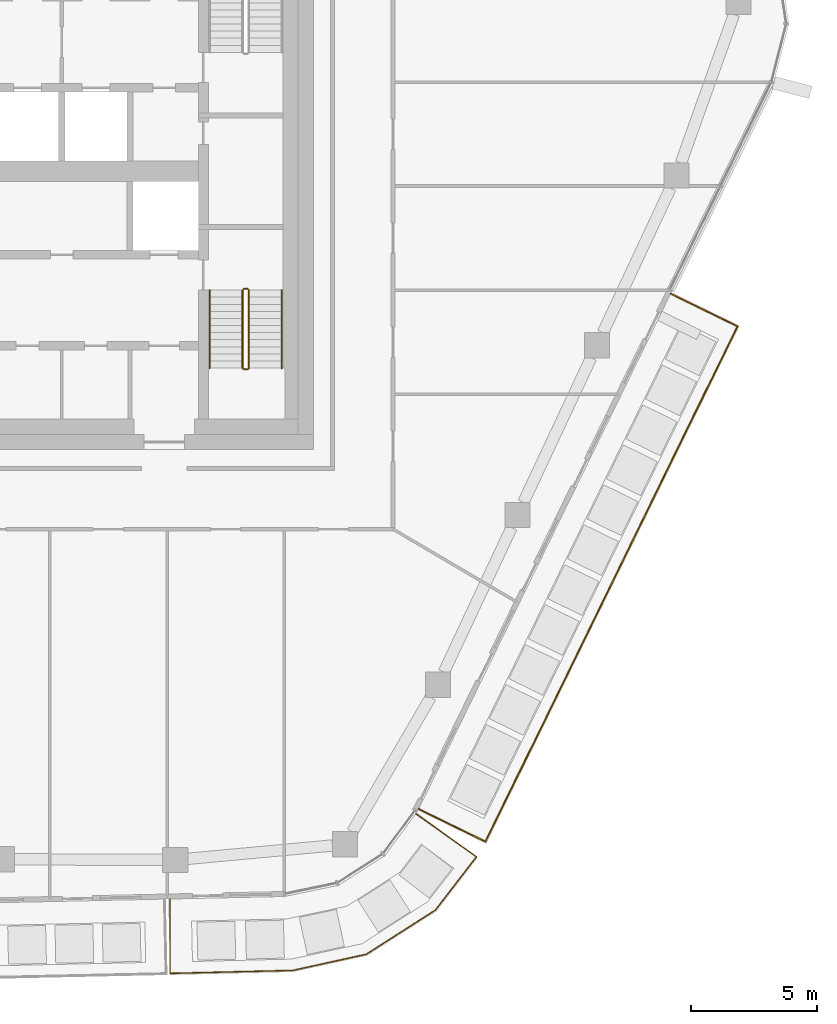
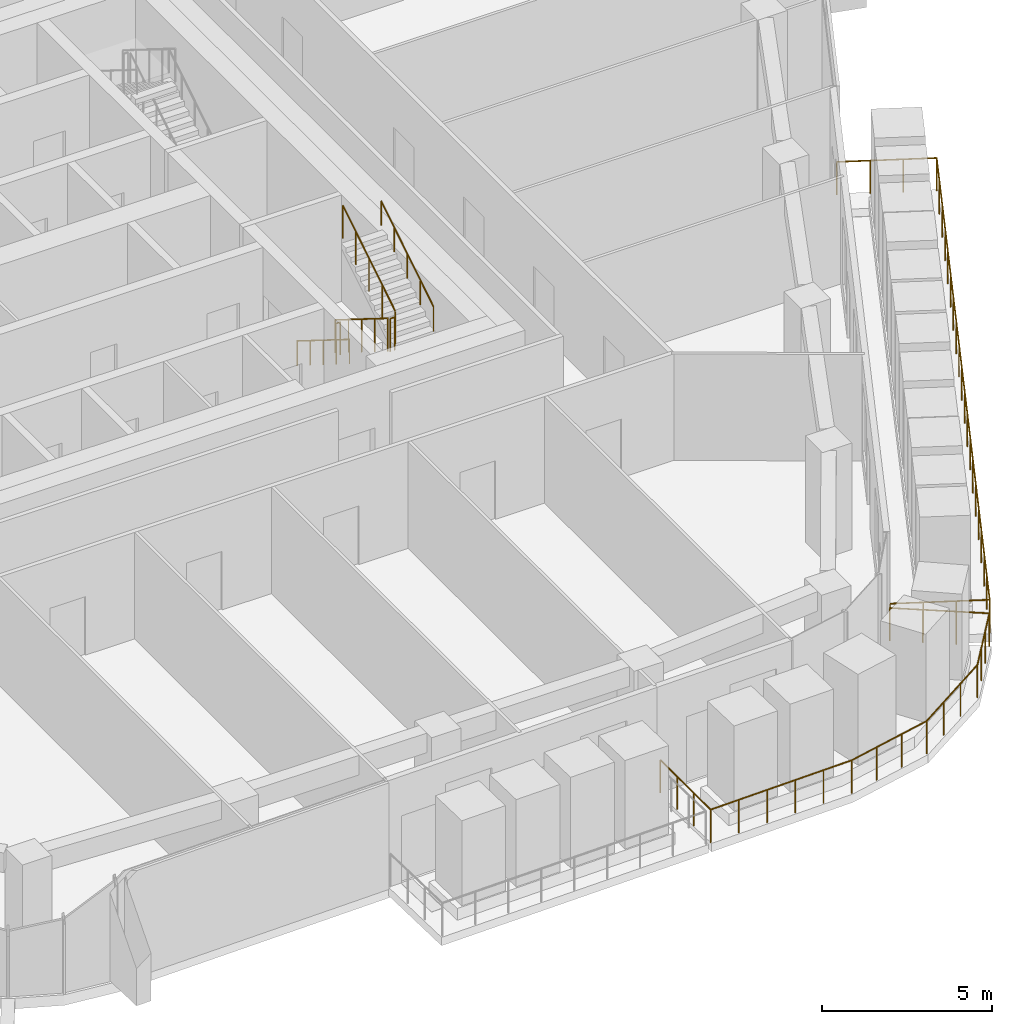
# One storey, part 20 of 23: 8 railings.
"""IFC4 building model written with IfcOpenShell, lengths in metres."""

from ifc_helpers import new_model, si_unit, direction, frame, origin, origin_2d, place, context, subcontext, project, spatial, circle, extrude, material, type_object, element, save


model = new_model("IFC4")

# Units and contexts
model_context = context("Model", 3, precision=1e-05, world=origin(), true_north=direction((0.0, 1.0)))
body_context = subcontext(model_context, "Body", "Model", "MODEL_VIEW")
ifc_project = project(units=[si_unit("LENGTHUNIT", "METRE"), si_unit("AREAUNIT", "SQUARE_METRE"), si_unit("VOLUMEUNIT", "CUBIC_METRE"), si_unit("PLANEANGLEUNIT", "RADIAN"), si_unit("MASSUNIT", "GRAM", prefix="KILO")], contexts=[model_context])

# Site, building, storey
site_placement = place(None, origin())
site = spatial("IfcSite", under=ifc_project, at=site_placement, CompositionType="ELEMENT")
building_placement = place(site_placement, origin())
building = spatial("IfcBuilding", under=site, at=building_placement, Name="Dongbaek Canopy Tower", CompositionType="ELEMENT")
storey_placement = place(building_placement, frame((0.0, 0.0, 336.199951171875)))
storey = spatial("IfcBuildingStorey", under=building, at=storey_placement, Name="L72", CompositionType="ELEMENT", Elevation=336.199951171875)

# Railings
ifc_material_1 = material(Name="Stainless steel", Category="steel")
railing_type_1 = type_object("IfcRailingType", Name="Balcony balustrade 1200", PredefinedType="BALUSTRADE", material=ifc_material_1)
railing_1_placement = place(storey_placement, frame((8.325927734375, -28.769287109375, 0.0)))
element("IfcRailing", 1, at=railing_1_placement, inside=storey, type_object=railing_type_1, Name="Balcony guard L72 8", PredefinedType="BALUSTRADE", context=body_context, shape_type="SweptSolid", body=[
    extrude(circle(Radius=0.02392578125, at=origin_2d()), frame((0.0, 0.0, 1.17578125), z_axis=(0.001245432445, -0.999999224449, 0.0), x_axis=(0.999999224449, 0.001245432445, 0.0)), (0.0, 0.0, 1.0), 2.9404296875),
    extrude(circle(Radius=0.02392578125, at=origin_2d()), frame((0.003662109375, -2.9404296875, 1.17578125), z_axis=(0.999707601747, 0.024180798373, 0.0), x_axis=(-0.024180798373, 0.999707601747, 0.0)), (0.0, 0.0, 1.0), 4.8564453125),
    extrude(circle(Radius=0.02392578125, at=origin_2d()), frame((4.858642578125, -2.822998046875, 1.17578125), z_axis=(0.97668986744, 0.214655311699, 0.0), x_axis=(-0.214655311699, 0.97668986744, 0.0)), (0.0, 0.0, 1.0), 2.9775390625),
    extrude(circle(Radius=0.02392578125, at=origin_2d()), frame((7.766845703125, -2.183837890625, 1.17578125), z_axis=(0.842552955036, 0.538613514461, 0.0), x_axis=(-0.538613514461, 0.842552955036, 0.0)), (0.0, 0.0, 1.0), 3.24267578125),
    extrude(circle(Radius=0.02392578125, at=origin_2d()), frame((10.4990234375, -0.437255859375, 1.17578125), z_axis=(0.609604303929, 0.792705867665, 0.0), x_axis=(-0.792705867665, 0.609604303929, 0.0)), (0.0, 0.0, 1.0), 2.66015625),
    extrude(circle(Radius=0.02392578125, at=origin_2d()), frame((12.12060546875, 1.67138671875, 1.17578125), z_axis=(-0.815725768278, 0.578438822147, 0.0), x_axis=(-0.578438822147, -0.815725768278, 0.0)), (0.0, 0.0, 1.0), 2.9404296875),
    extrude(circle(Radius=0.02099609375, at=origin_2d()), origin(), (0.0, 0.0, 1.0), 1.15185546875),
    extrude(circle(Radius=0.02099609375, at=origin_2d()), frame((0.001220703125, -0.980224609375, 0.0)), (0.0, 0.0, 1.0), 1.15185546875),
    extrude(circle(Radius=0.02099609375, at=origin_2d()), frame((0.00244140625, -1.960205078125, 0.0)), (0.0, 0.0, 1.0), 1.15185546875),
    extrude(circle(Radius=0.02099609375, at=origin_2d()), frame((0.003662109375, -2.9404296875, 0.0)), (0.0, 0.0, 1.0), 1.15185546875),
    extrude(circle(Radius=0.02099609375, at=origin_2d()), frame((0.974609375, -2.9169921875, 0.0)), (0.0, 0.0, 1.0), 1.15185546875),
    extrude(circle(Radius=0.02099609375, at=origin_2d()), frame((1.945556640625, -2.8935546875, 0.0)), (0.0, 0.0, 1.0), 1.15185546875),
    extrude(circle(Radius=0.02099609375, at=origin_2d()), frame((2.916748046875, -2.869873046875, 0.0)), (0.0, 0.0, 1.0), 1.15185546875),
    extrude(circle(Radius=0.02099609375, at=origin_2d()), frame((3.8876953125, -2.846435546875, 0.0)), (0.0, 0.0, 1.0), 1.15185546875),
    extrude(circle(Radius=0.02099609375, at=origin_2d()), frame((4.858642578125, -2.822998046875, 0.0)), (0.0, 0.0, 1.0), 1.15185546875),
    extrude(circle(Radius=0.02099609375, at=origin_2d()), frame((5.828125, -2.60986328125, 0.0)), (0.0, 0.0, 1.0), 1.15185546875),
    extrude(circle(Radius=0.02099609375, at=origin_2d()), frame((6.79736328125, -2.39697265625, 0.0)), (0.0, 0.0, 1.0), 1.15185546875),
    extrude(circle(Radius=0.02099609375, at=origin_2d()), frame((7.766845703125, -2.183837890625, 0.0)), (0.0, 0.0, 1.0), 1.15185546875),
    extrude(circle(Radius=0.02099609375, at=origin_2d()), frame((8.677490234375, -1.6015625, 0.0)), (0.0, 0.0, 1.0), 1.15185546875),
    extrude(circle(Radius=0.02099609375, at=origin_2d()), frame((9.58837890625, -1.01953125, 0.0)), (0.0, 0.0, 1.0), 1.15185546875),
    extrude(circle(Radius=0.02099609375, at=origin_2d()), frame((10.4990234375, -0.437255859375, 0.0)), (0.0, 0.0, 1.0), 1.15185546875),
    extrude(circle(Radius=0.02099609375, at=origin_2d()), frame((11.03955078125, 0.265625, 0.0)), (0.0, 0.0, 1.0), 1.15185546875),
    extrude(circle(Radius=0.02099609375, at=origin_2d()), frame((11.580078125, 0.968505859375, 0.0)), (0.0, 0.0, 1.0), 1.15185546875),
    extrude(circle(Radius=0.02099609375, at=origin_2d()), frame((12.12060546875, 1.67138671875, 0.0)), (0.0, 0.0, 1.0), 1.15185546875),
    extrude(circle(Radius=0.02099609375, at=origin_2d()), frame((11.321044921875, 2.23828125, 0.0)), (0.0, 0.0, 1.0), 1.15185546875),
    extrude(circle(Radius=0.02099609375, at=origin_2d()), frame((10.521484375, 2.805419921875, 0.0)), (0.0, 0.0, 1.0), 1.15185546875),
    extrude(circle(Radius=0.02099609375, at=origin_2d()), frame((9.721923828125, 3.372314453125, 0.0)), (0.0, 0.0, 1.0), 1.15185546875),
])
railing_2_placement = place(storey_placement, frame((18.16162109375, -25.209716796875, 0.0)))
element("IfcRailing", 2, at=railing_2_placement, inside=storey, type_object=railing_type_1, Name="Balcony guard L72 5", PredefinedType="BALUSTRADE", context=body_context, shape_type="SweptSolid", body=[
    extrude(circle(Radius=0.02392578125, at=origin_2d()), frame((0.0, 0.0, 1.17578125), z_axis=(0.898345037458, -0.439290557234, 0.0), x_axis=(0.439290557234, 0.898345037458, 0.0)), (0.0, 0.0, 1.0), 2.93994140625),
    extrude(circle(Radius=0.02392578125, at=origin_2d()), frame((2.64111328125, -1.29150390625, 1.17578125), z_axis=(0.439336802154, 0.898322422225, 0.0), x_axis=(-0.898322422225, 0.439336802154, 0.0)), (0.0, 0.0, 1.0), 22.676025390625),
    extrude(circle(Radius=0.02392578125, at=origin_2d()), frame((12.603515625, 19.078857421875, 1.17578125), z_axis=(-0.898312265038, 0.43935757019, 0.0), x_axis=(-0.43935757019, -0.898312265038, 0.0)), (0.0, 0.0, 1.0), 2.940185546875),
    extrude(circle(Radius=0.02099609375, at=origin_2d()), origin(), (0.0, 0.0, 1.0), 1.15185546875),
    extrude(circle(Radius=0.02099609375, at=origin_2d()), frame((0.88037109375, -0.430419921875, 0.0)), (0.0, 0.0, 1.0), 1.15185546875),
    extrude(circle(Radius=0.02099609375, at=origin_2d()), frame((1.7607421875, -0.861083984375, 0.0)), (0.0, 0.0, 1.0), 1.15185546875),
    extrude(circle(Radius=0.02099609375, at=origin_2d()), frame((2.64111328125, -1.29150390625, 0.0)), (0.0, 0.0, 1.0), 1.15185546875),
    extrude(circle(Radius=0.02099609375, at=origin_2d()), frame((3.16552734375, -0.219482421875, 0.0)), (0.0, 0.0, 1.0), 1.15185546875),
    extrude(circle(Radius=0.02099609375, at=origin_2d()), frame((3.689697265625, 0.852783203125, 0.0)), (0.0, 0.0, 1.0), 1.15185546875),
    extrude(circle(Radius=0.02099609375, at=origin_2d()), frame((4.214111328125, 1.9248046875, 0.0)), (0.0, 0.0, 1.0), 1.15185546875),
    extrude(circle(Radius=0.02099609375, at=origin_2d()), frame((4.738525390625, 2.9970703125, 0.0)), (0.0, 0.0, 1.0), 1.15185546875),
    extrude(circle(Radius=0.02099609375, at=origin_2d()), frame((5.2626953125, 4.069091796875, 0.0)), (0.0, 0.0, 1.0), 1.15185546875),
    extrude(circle(Radius=0.02099609375, at=origin_2d()), frame((5.787109375, 5.141357421875, 0.0)), (0.0, 0.0, 1.0), 1.15185546875),
    extrude(circle(Radius=0.02099609375, at=origin_2d()), frame((6.3115234375, 6.21337890625, 0.0)), (0.0, 0.0, 1.0), 1.15185546875),
    extrude(circle(Radius=0.02099609375, at=origin_2d()), frame((6.835693359375, 7.285400390625, 0.0)), (0.0, 0.0, 1.0), 1.15185546875),
    extrude(circle(Radius=0.02099609375, at=origin_2d()), frame((7.360107421875, 8.357666015625, 0.0)), (0.0, 0.0, 1.0), 1.15185546875),
    extrude(circle(Radius=0.02099609375, at=origin_2d()), frame((7.884521484375, 9.4296875, 0.0)), (0.0, 0.0, 1.0), 1.15185546875),
    extrude(circle(Radius=0.02099609375, at=origin_2d()), frame((8.408935546875, 10.501953125, 0.0)), (0.0, 0.0, 1.0), 1.15185546875),
    extrude(circle(Radius=0.02099609375, at=origin_2d()), frame((8.93310546875, 11.573974609375, 0.0)), (0.0, 0.0, 1.0), 1.15185546875),
    extrude(circle(Radius=0.02099609375, at=origin_2d()), frame((9.45751953125, 12.64599609375, 0.0)), (0.0, 0.0, 1.0), 1.15185546875),
    extrude(circle(Radius=0.02099609375, at=origin_2d()), frame((9.98193359375, 13.71826171875, 0.0)), (0.0, 0.0, 1.0), 1.15185546875),
    extrude(circle(Radius=0.02099609375, at=origin_2d()), frame((10.506103515625, 14.790283203125, 0.0)), (0.0, 0.0, 1.0), 1.15185546875),
    extrude(circle(Radius=0.02099609375, at=origin_2d()), frame((11.030517578125, 15.862548828125, 0.0)), (0.0, 0.0, 1.0), 1.15185546875),
    extrude(circle(Radius=0.02099609375, at=origin_2d()), frame((11.554931640625, 16.9345703125, 0.0)), (0.0, 0.0, 1.0), 1.15185546875),
    extrude(circle(Radius=0.02099609375, at=origin_2d()), frame((12.0791015625, 18.0068359375, 0.0)), (0.0, 0.0, 1.0), 1.15185546875),
    extrude(circle(Radius=0.02099609375, at=origin_2d()), frame((12.603515625, 19.078857421875, 0.0)), (0.0, 0.0, 1.0), 1.15185546875),
    extrude(circle(Radius=0.02099609375, at=origin_2d()), frame((11.72314453125, 19.509521484375, 0.0)), (0.0, 0.0, 1.0), 1.15185546875),
    extrude(circle(Radius=0.02099609375, at=origin_2d()), frame((10.8427734375, 19.93994140625, 0.0)), (0.0, 0.0, 1.0), 1.15185546875),
    extrude(circle(Radius=0.02099609375, at=origin_2d()), frame((9.96240234375, 20.37060546875, 0.0)), (0.0, 0.0, 1.0), 1.15185546875),
])
ifc_material_2 = material(Name="Stainless steel tube and balusters", Category="steel")
railing_type_2 = type_object("IfcRailingType", Name="Stair guard 1200", PredefinedType="GUARDRAIL", material=ifc_material_2)
railing_3_placement = place(storey_placement, frame((11.199951171875, -4.699951171875, 0.175048828125)))
element("IfcRailing", 3, at=railing_3_placement, inside=storey, type_object=railing_type_2, Name="L72 ST-B stair guard 1", PredefinedType="GUARDRAIL", context=body_context, shape_type="SweptSolid", body=[
    extrude(circle(Radius=0.02392578125, at=origin_2d()), frame((0.0, 0.0, 1.17578125), z_axis=(0.0, -0.847998304005, 0.529998940003), x_axis=(1.0, 0.0, 0.0)), (0.0, 0.0, 1.0), 3.632080078125),
    extrude(circle(Radius=0.02099609375, at=origin_2d()), origin(), (0.0, 0.0, 1.0), 1.15185546875),
    extrude(circle(Radius=0.02099609375, at=origin_2d()), frame((0.0, -0.77001953125, 0.481201171875)), (0.0, 0.0, 1.0), 1.15185546875),
    extrude(circle(Radius=0.02099609375, at=origin_2d()), frame((0.0, -1.5400390625, 0.96240234375)), (0.0, 0.0, 1.0), 1.15185546875),
    extrude(circle(Radius=0.02099609375, at=origin_2d()), frame((0.0, -2.31005859375, 1.44384765625)), (0.0, 0.0, 1.0), 1.15185546875),
    extrude(circle(Radius=0.02099609375, at=origin_2d()), frame((0.0, -3.080078125, 1.925048828125)), (0.0, 0.0, 1.0), 1.15185546875),
])
railing_4_placement = place(storey_placement, frame((11.25, -7.830078125, 2.10009765625)))
element("IfcRailing", 4, at=railing_4_placement, inside=storey, type_object=railing_type_2, Name="L72 ST-B stair guard 2", PredefinedType="GUARDRAIL", context=body_context, shape_type="SweptSolid", body=[
    extrude(circle(Radius=0.02392578125, at=origin_2d()), frame((0.0, 0.0, 1.17578125), z_axis=(1.0, 0.0, 0.0), x_axis=(0.0, 1.0, 0.0)), (0.0, 0.0, 1.0), 0.14990234375),
    extrude(circle(Radius=0.02099609375, at=origin_2d()), origin(), (0.0, 0.0, 1.0), 1.15185546875),
    extrude(circle(Radius=0.02099609375, at=origin_2d()), frame((0.14990234375, 0.0, 0.0)), (0.0, 0.0, 1.0), 1.15185546875),
])
railing_5_placement = place(storey_placement, frame((11.449951171875, -7.780029296875, 2.275146484375)))
element("IfcRailing", 5, at=railing_5_placement, inside=storey, type_object=railing_type_2, Name="L72 ST-B stair guard 3", PredefinedType="GUARDRAIL", context=body_context, shape_type="SweptSolid", body=[
    extrude(circle(Radius=0.02392578125, at=origin_2d()), frame((0.0, 0.0, 1.17578125), z_axis=(0.0, 0.848028513186, 0.529950602248), x_axis=(-1.0, 0.0, 0.0)), (0.0, 0.0, 1.0), 3.632080078125),
    extrude(circle(Radius=0.02099609375, at=origin_2d()), origin(), (0.0, 0.0, 1.0), 1.15185546875),
    extrude(circle(Radius=0.02099609375, at=origin_2d()), frame((0.0, 0.77001953125, 0.481201171875)), (0.0, 0.0, 1.0), 1.15185546875),
    extrude(circle(Radius=0.02099609375, at=origin_2d()), frame((0.0, 1.5400390625, 0.96240234375)), (0.0, 0.0, 1.0), 1.15185546875),
    extrude(circle(Radius=0.02099609375, at=origin_2d()), frame((0.0, 2.31005859375, 1.443603515625)), (0.0, 0.0, 1.0), 1.15185546875),
    extrude(circle(Radius=0.02099609375, at=origin_2d()), frame((0.0, 3.080078125, 1.9248046875)), (0.0, 0.0, 1.0), 1.15185546875),
])
railing_6_placement = place(storey_placement, frame((11.25, -4.64990234375, 0.0)))
element("IfcRailing", 6, at=railing_6_placement, inside=storey, type_object=railing_type_2, Name="L72 ST-B stair guard 4", PredefinedType="GUARDRAIL", context=body_context, shape_type="SweptSolid", body=[
    extrude(circle(Radius=0.02392578125, at=origin_2d()), frame((0.0, 0.0, 1.17578125), z_axis=(1.0, 0.0, 0.0), x_axis=(0.0, 1.0, 0.0)), (0.0, 0.0, 1.0), 0.14990234375),
    extrude(circle(Radius=0.02099609375, at=origin_2d()), origin(), (0.0, 0.0, 1.0), 1.15185546875),
    extrude(circle(Radius=0.02099609375, at=origin_2d()), frame((0.14990234375, 0.0, 0.0)), (0.0, 0.0, 1.0), 1.15185546875),
])
ifc_material_3 = material(Name="Stainless steel tube", Category="steel")
railing_type_3 = type_object("IfcRailingType", Name="Stair handrail 900", PredefinedType="HANDRAIL", material=ifc_material_3)
railing_7_placement = place(storey_placement, frame((9.89990234375, -4.699951171875, 0.175048828125)))
element("IfcRailing", 7, at=railing_7_placement, inside=storey, type_object=railing_type_3, Name="L72 ST-B stair handrail 1", PredefinedType="HANDRAIL", context=body_context, shape_type="SweptSolid", body=[
    extrude(circle(Radius=0.02392578125, at=origin_2d()), frame((0.0, 0.0, 0.8759765625), z_axis=(0.0, -0.847998304005, 0.529998940003), x_axis=(1.0, 0.0, 0.0)), (0.0, 0.0, 1.0), 3.632080078125),
    extrude(circle(Radius=0.02099609375, at=origin_2d()), origin(), (0.0, 0.0, 1.0), 0.851806640625),
    extrude(circle(Radius=0.02099609375, at=origin_2d()), frame((0.0, -0.77001953125, 0.481201171875)), (0.0, 0.0, 1.0), 0.851806640625),
    extrude(circle(Radius=0.02099609375, at=origin_2d()), frame((0.0, -1.5400390625, 0.96240234375)), (0.0, 0.0, 1.0), 0.851806640625),
    extrude(circle(Radius=0.02099609375, at=origin_2d()), frame((0.0, -2.31005859375, 1.44384765625)), (0.0, 0.0, 1.0), 0.851806640625),
    extrude(circle(Radius=0.02099609375, at=origin_2d()), frame((0.0, -3.080078125, 1.925048828125)), (0.0, 0.0, 1.0), 0.851806640625),
])
railing_8_placement = place(storey_placement, frame((12.75, -7.780029296875, 2.275146484375)))
element("IfcRailing", 8, at=railing_8_placement, inside=storey, type_object=railing_type_3, Name="L72 ST-B stair handrail 2", PredefinedType="HANDRAIL", context=body_context, shape_type="SweptSolid", body=[
    extrude(circle(Radius=0.02392578125, at=origin_2d()), frame((0.0, 0.0, 0.8759765625), z_axis=(0.0, 0.848028513186, 0.529950602248), x_axis=(-1.0, 0.0, 0.0)), (0.0, 0.0, 1.0), 3.632080078125),
    extrude(circle(Radius=0.02099609375, at=origin_2d()), origin(), (0.0, 0.0, 1.0), 0.851806640625),
    extrude(circle(Radius=0.02099609375, at=origin_2d()), frame((0.0, 0.77001953125, 0.481201171875)), (0.0, 0.0, 1.0), 0.851806640625),
    extrude(circle(Radius=0.02099609375, at=origin_2d()), frame((0.0, 1.5400390625, 0.96240234375)), (0.0, 0.0, 1.0), 0.851806640625),
    extrude(circle(Radius=0.02099609375, at=origin_2d()), frame((0.0, 2.31005859375, 1.443603515625)), (0.0, 0.0, 1.0), 0.851806640625),
    extrude(circle(Radius=0.02099609375, at=origin_2d()), frame((0.0, 3.080078125, 1.9248046875)), (0.0, 0.0, 1.0), 0.851806640625),
])

save(model, "model.ifc")
